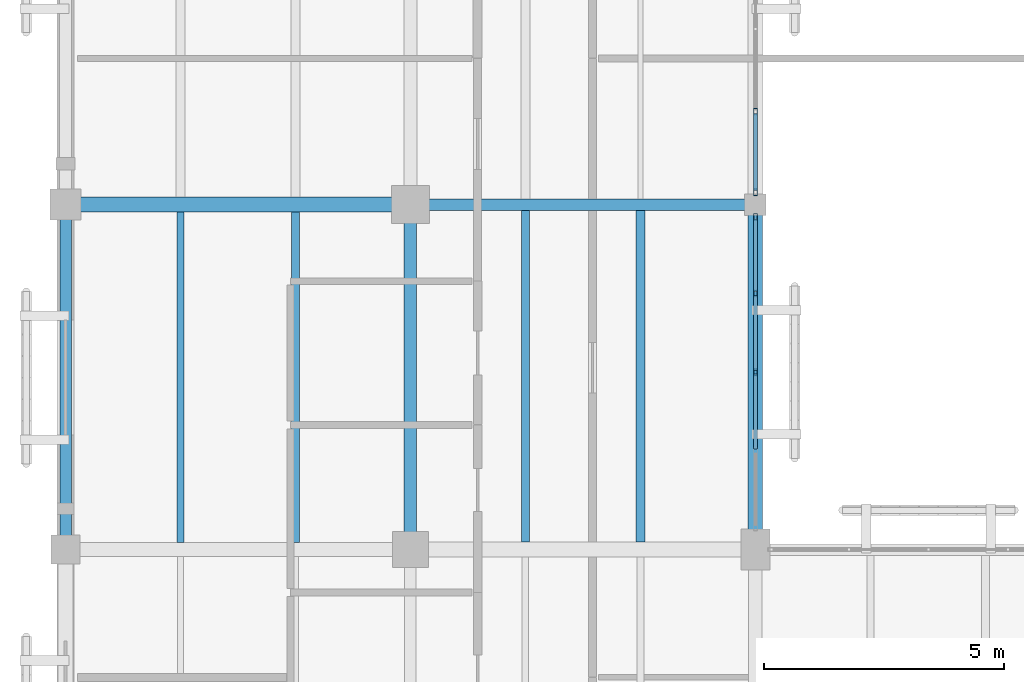
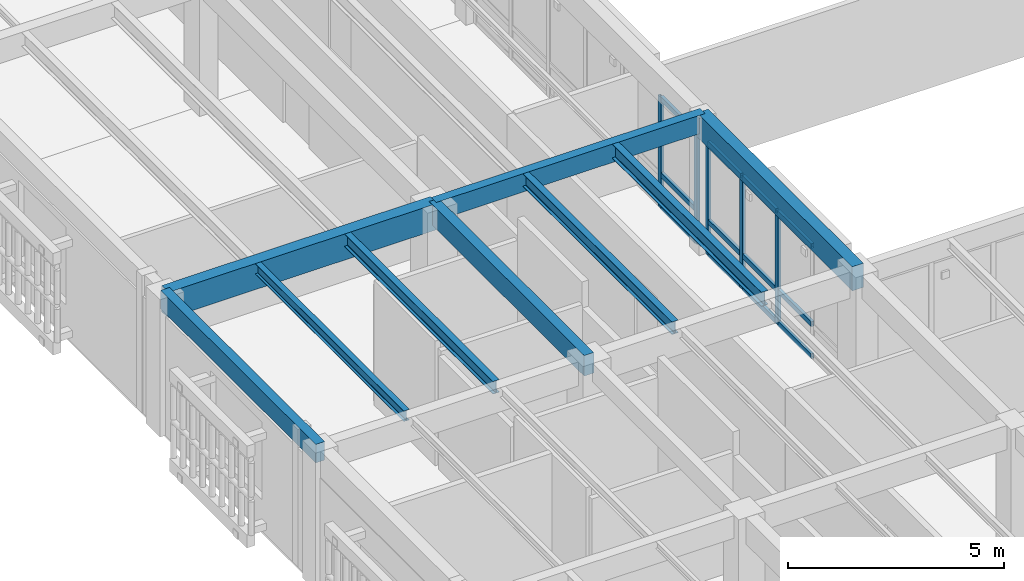
# One storey, part 29 of 170: 17 members, 9 beams, 2 elements without a shape of their own.
"""IFC4 building model written with IfcOpenShell, lengths in metres."""

from ifc_helpers import new_model, si_unit, direction, frame, origin, origin_2d, place, context, subcontext, project, spatial, rectangle, hollow_rectangle, i_section, extrude, material, layer, layer_set, material_profile, profile_set, type_object, element, aggregate, save


model = new_model("IFC4")

# Units and contexts
model_context = context("Model", 3, precision=1e-05, world=origin(), true_north=direction((0.0, 1.0)))
body_context = subcontext(model_context, "Body", "Model", "MODEL_VIEW")
ifc_project = project(units=[si_unit("LENGTHUNIT", "METRE"), si_unit("AREAUNIT", "SQUARE_METRE"), si_unit("VOLUMEUNIT", "CUBIC_METRE"), si_unit("PLANEANGLEUNIT", "RADIAN"), si_unit("MASSUNIT", "GRAM", prefix="KILO")], contexts=[model_context])

# Site, building, storey
site_placement = place(None, origin())
site = spatial("IfcSite", under=ifc_project, at=site_placement, CompositionType="ELEMENT")
building_placement = place(site_placement, origin())
building = spatial("IfcBuilding", under=site, at=building_placement, Name="Mazaris Harbour Polytechnic", CompositionType="ELEMENT")
storey_placement = place(building_placement, frame((0.0, 0.0, 5.39990234375)))
storey = spatial("IfcBuildingStorey", under=building, at=storey_placement, Name="L01", CompositionType="ELEMENT", Elevation=5.39990234375)

# Curtain wall, members
ifc_material_1 = material(Name="Anodised Bronze Aluminium and Low-E Glass", Category="aluminium")
ifc_layer = layer(ifc_material_1, 0.159912109375, Name="Anodised Bronze Aluminium and Low-E Glass")
ifc_layer_set = layer_set([ifc_layer], Name="Anodised Bronze Aluminium and Low-E Glass")
curtain_wall_type = type_object("IfcCurtainWallType", Name="Cloister Court Curtain Wall", PredefinedType="NOTDEFINED", material=ifc_layer_set)
curtain_wall_1_placement = place(storey_placement, origin())
curtain_wall_1 = element("IfcCurtainWall", 1, at=curtain_wall_1_placement, inside=storey, type_object=curtain_wall_type, Name="V4 L01 Curtain Wall 120", PredefinedType="NOTDEFINED")
ifc_material_2 = material(Name="Anodised Bronze Steel S355", Category="steel")
ifc_material_profile_1 = material_profile(ifc_material_2, hollow_rectangle(XDim=0.080078125, YDim=0.139892578125, WallThickness=0.00634765625, at=origin_2d()), Name="RHS 80x140x6.3")
ifc_profile_set_1 = profile_set([ifc_material_profile_1], Name="Anodised Bronze Steel S355")
member_type_1 = type_object("IfcMemberType", Name="Curtain Mullion RHS80x140", PredefinedType="MULLION", material=ifc_profile_set_1)
member_1_placement = place(storey_placement, frame((14.39990234375, 39.699951171875, 0.0), z_axis=(0.0, 0.0, 1.0), x_axis=(-1.0, 0.0, 0.0)))
member_1 = element("IfcMember", 2, at=member_1_placement, type_object=member_type_1, Name="CW-02 mullion 3", PredefinedType="MULLION", context=body_context, shape_type="SweptSolid", body=[
    extrude(hollow_rectangle(XDim=0.080078125, YDim=0.139892578125, WallThickness=0.00634765625, at=origin_2d()), origin(), (0.0, 0.0, 1.0), 3.2001953125),
])
member_2_placement = place(storey_placement, frame((14.39990234375, 41.341552734375, 0.0), z_axis=(0.0, 0.0, 1.0), x_axis=(-1.0, 0.0, 0.0)))
member_2 = element("IfcMember", 3, at=member_2_placement, type_object=member_type_1, Name="CW-02 mullion 4", PredefinedType="MULLION", context=body_context, shape_type="SweptSolid", body=[
    extrude(hollow_rectangle(XDim=0.080078125, YDim=0.139892578125, WallThickness=0.00634765625, at=origin_2d()), origin(), (0.0, 0.0, 1.0), 3.2001953125),
])
member_3_placement = place(storey_placement, frame((14.39990234375, 42.943115234375, 0.0), z_axis=(0.0, 0.0, 1.0), x_axis=(-1.0, 0.0, 0.0)))
member_3 = element("IfcMember", 4, at=member_3_placement, type_object=member_type_1, Name="CW-02 mullion 5", PredefinedType="MULLION", context=body_context, shape_type="SweptSolid", body=[
    extrude(hollow_rectangle(XDim=0.080078125, YDim=0.139892578125, WallThickness=0.00634765625, at=origin_2d()), origin(), (0.0, 0.0, 1.0), 3.2001953125),
])

curtain_wall_2_placement = place(storey_placement, origin())
curtain_wall_2 = element("IfcCurtainWall", 5, at=curtain_wall_2_placement, inside=storey, type_object=curtain_wall_type, Name="V4 L01 Curtain Wall 121", PredefinedType="NOTDEFINED")
member_4_placement = place(storey_placement, frame((14.39990234375, 43.45703125, 0.0), z_axis=(0.0, 0.0, 1.0), x_axis=(-1.0, 0.0, 0.0)))
member_4 = element("IfcMember", 6, at=member_4_placement, type_object=member_type_1, Name="CW-02 mullion 1", PredefinedType="MULLION", context=body_context, shape_type="SweptSolid", body=[
    extrude(hollow_rectangle(XDim=0.080078125, YDim=0.139892578125, WallThickness=0.00634765625, at=origin_2d()), origin(), (0.0, 0.0, 1.0), 3.14013671875),
])
member_5_placement = place(storey_placement, frame((14.39990234375, 45.140380859375, 0.0), z_axis=(0.0, 0.0, 1.0), x_axis=(-1.0, 0.0, 0.0)))
member_5 = element("IfcMember", 7, at=member_5_placement, type_object=member_type_1, Name="CW-02 mullion 2", PredefinedType="MULLION", context=body_context, shape_type="SweptSolid", body=[
    extrude(hollow_rectangle(XDim=0.080078125, YDim=0.139892578125, WallThickness=0.00634765625, at=origin_2d()), origin(), (0.0, 0.0, 1.0), 3.14013671875),
])

# Member
ifc_material_3 = material(Name="Anodised Bronze Steel S355", Category="steel")
ifc_material_profile_2 = material_profile(ifc_material_3, hollow_rectangle(XDim=0.080078125, YDim=0.139892578125, WallThickness=0.00634765625, at=origin_2d()), Name="RHS 80x140x6.3")
ifc_profile_set_2 = profile_set([ifc_material_profile_2], Name="Anodised Bronze Steel S355")
member_type_2 = type_object("IfcMemberType", Name="Curtain Transom RHS80x140", PredefinedType="USERDEFINED", material=ifc_profile_set_2)
member_6_placement = place(storey_placement, frame((14.39990234375, 38.098388671875, 0.0400390625), z_axis=(0.0, 1.0, 0.0), x_axis=(-1.0, 0.0, 0.0)))
member_6 = element("IfcMember", 8, at=member_6_placement, type_object=member_type_2, Name="CW-02 transom 2.1", ObjectType="TRANSOM", PredefinedType="USERDEFINED", context=body_context, shape_type="SweptSolid", body=[
    extrude(hollow_rectangle(XDim=0.080078125, YDim=0.139892578125, WallThickness=0.00634765625, at=origin_2d()), origin(), (0.0, 0.0, 1.0), 1.5615234375),
])

member_7_placement = place(storey_placement, frame((14.39990234375, 38.098388671875, 0.9501953125), z_axis=(0.0, 1.0, 0.0), x_axis=(-1.0, 0.0, 0.0)))
member_7 = element("IfcMember", 9, at=member_7_placement, type_object=member_type_2, Name="CW-02 transom 2.2", ObjectType="TRANSOM", PredefinedType="USERDEFINED", context=body_context, shape_type="SweptSolid", body=[
    extrude(hollow_rectangle(XDim=0.080078125, YDim=0.139892578125, WallThickness=0.00634765625, at=origin_2d()), origin(), (0.0, 0.0, 1.0), 1.5615234375),
])

member_8_placement = place(storey_placement, frame((14.39990234375, 38.098388671875, 3.16015625), z_axis=(0.0, 1.0, 0.0), x_axis=(-1.0, 0.0, 0.0)))
member_8 = element("IfcMember", 10, at=member_8_placement, type_object=member_type_2, Name="CW-02 transom 2.3", ObjectType="TRANSOM", PredefinedType="USERDEFINED", context=body_context, shape_type="SweptSolid", body=[
    extrude(hollow_rectangle(XDim=0.080078125, YDim=0.139892578125, WallThickness=0.00634765625, at=origin_2d()), origin(), (0.0, 0.0, 1.0), 1.5615234375),
])

member_9_placement = place(storey_placement, frame((14.39990234375, 39.739990234375, 0.0400390625), z_axis=(0.0, 1.0, 0.0), x_axis=(-1.0, 0.0, 0.0)))
member_9 = element("IfcMember", 11, at=member_9_placement, type_object=member_type_2, Name="CW-02 transom 3.1", ObjectType="TRANSOM", PredefinedType="USERDEFINED", context=body_context, shape_type="SweptSolid", body=[
    extrude(hollow_rectangle(XDim=0.080078125, YDim=0.139892578125, WallThickness=0.00634765625, at=origin_2d()), origin(), (0.0, 0.0, 1.0), 1.5615234375),
])

member_10_placement = place(storey_placement, frame((14.39990234375, 39.739990234375, 0.9501953125), z_axis=(0.0, 1.0, 0.0), x_axis=(-1.0, 0.0, 0.0)))
member_10 = element("IfcMember", 12, at=member_10_placement, type_object=member_type_2, Name="CW-02 transom 3.2", ObjectType="TRANSOM", PredefinedType="USERDEFINED", context=body_context, shape_type="SweptSolid", body=[
    extrude(hollow_rectangle(XDim=0.080078125, YDim=0.139892578125, WallThickness=0.00634765625, at=origin_2d()), origin(), (0.0, 0.0, 1.0), 1.5615234375),
])

member_11_placement = place(storey_placement, frame((14.39990234375, 39.739990234375, 3.16015625), z_axis=(0.0, 1.0, 0.0), x_axis=(-1.0, 0.0, 0.0)))
member_11 = element("IfcMember", 13, at=member_11_placement, type_object=member_type_2, Name="CW-02 transom 3.3", ObjectType="TRANSOM", PredefinedType="USERDEFINED", context=body_context, shape_type="SweptSolid", body=[
    extrude(hollow_rectangle(XDim=0.080078125, YDim=0.139892578125, WallThickness=0.00634765625, at=origin_2d()), origin(), (0.0, 0.0, 1.0), 1.5615234375),
])

member_12_placement = place(storey_placement, frame((14.39990234375, 41.381591796875, 0.0400390625), z_axis=(0.0, 1.0, 0.0), x_axis=(-1.0, 0.0, 0.0)))
member_12 = element("IfcMember", 14, at=member_12_placement, type_object=member_type_2, Name="CW-02 transom 4.1", ObjectType="TRANSOM", PredefinedType="USERDEFINED", context=body_context, shape_type="SweptSolid", body=[
    extrude(hollow_rectangle(XDim=0.080078125, YDim=0.139892578125, WallThickness=0.00634765625, at=origin_2d()), origin(), (0.0, 0.0, 1.0), 1.521484375),
])

member_13_placement = place(storey_placement, frame((14.39990234375, 41.381591796875, 0.9501953125), z_axis=(0.0, 1.0, 0.0), x_axis=(-1.0, 0.0, 0.0)))
member_13 = element("IfcMember", 15, at=member_13_placement, type_object=member_type_2, Name="CW-02 transom 4.2", ObjectType="TRANSOM", PredefinedType="USERDEFINED", context=body_context, shape_type="SweptSolid", body=[
    extrude(hollow_rectangle(XDim=0.080078125, YDim=0.139892578125, WallThickness=0.00634765625, at=origin_2d()), origin(), (0.0, 0.0, 1.0), 1.521484375),
])

member_14_placement = place(storey_placement, frame((14.39990234375, 41.381591796875, 3.16015625), z_axis=(0.0, 1.0, 0.0), x_axis=(-1.0, 0.0, 0.0)))
member_14 = element("IfcMember", 16, at=member_14_placement, type_object=member_type_2, Name="CW-02 transom 4.3", ObjectType="TRANSOM", PredefinedType="USERDEFINED", context=body_context, shape_type="SweptSolid", body=[
    extrude(hollow_rectangle(XDim=0.080078125, YDim=0.139892578125, WallThickness=0.00634765625, at=origin_2d()), origin(), (0.0, 0.0, 1.0), 1.521484375),
])

aggregate(curtain_wall_1, [member_1, member_2, member_3, member_6, member_7, member_8, member_9, member_10, member_11, member_12, member_13, member_14])

member_15_placement = place(storey_placement, frame((14.39990234375, 43.4970703125, 0.0400390625), z_axis=(0.0, 1.0, 0.0), x_axis=(-1.0, 0.0, 0.0)))
member_15 = element("IfcMember", 17, at=member_15_placement, type_object=member_type_2, Name="CW-02 transom 1.1", ObjectType="TRANSOM", PredefinedType="USERDEFINED", context=body_context, shape_type="SweptSolid", body=[
    extrude(hollow_rectangle(XDim=0.080078125, YDim=0.139892578125, WallThickness=0.00634765625, at=origin_2d()), origin(), (0.0, 0.0, 1.0), 1.603515625),
])

member_16_placement = place(storey_placement, frame((14.39990234375, 43.4970703125, 0.9501953125), z_axis=(0.0, 1.0, 0.0), x_axis=(-1.0, 0.0, 0.0)))
member_16 = element("IfcMember", 18, at=member_16_placement, type_object=member_type_2, Name="CW-02 transom 1.2", ObjectType="TRANSOM", PredefinedType="USERDEFINED", context=body_context, shape_type="SweptSolid", body=[
    extrude(hollow_rectangle(XDim=0.080078125, YDim=0.139892578125, WallThickness=0.00634765625, at=origin_2d()), origin(), (0.0, 0.0, 1.0), 1.603515625),
])

member_17_placement = place(storey_placement, frame((14.39990234375, 43.4970703125, 3.10009765625), z_axis=(0.0, 1.0, 0.0), x_axis=(-1.0, 0.0, 0.0)))
member_17 = element("IfcMember", 19, at=member_17_placement, type_object=member_type_2, Name="CW-02 transom 1.3", ObjectType="TRANSOM", PredefinedType="USERDEFINED", context=body_context, shape_type="SweptSolid", body=[
    extrude(hollow_rectangle(XDim=0.080078125, YDim=0.139892578125, WallThickness=0.00634765625, at=origin_2d()), origin(), (0.0, 0.0, 1.0), 1.603515625),
])

aggregate(curtain_wall_2, [member_4, member_5, member_15, member_16, member_17])

# Beams
ifc_material_4 = material(Name="Glulam GL32h", Category="wood")
ifc_material_profile_3 = material_profile(ifc_material_4, rectangle(XDim=0.239990234375, YDim=0.52001953125, at=origin_2d()), Name="RECT240x520")
ifc_profile_set_3 = profile_set([ifc_material_profile_3], Name="Glulam GL32h")
beam_type_1 = type_object("IfcBeamType", Name="Glulam Girder 240x520", PredefinedType="BEAM", material=ifc_profile_set_3)
beam_1_placement = place(storey_placement, frame((7.199951171875, 43.199951171875, 3.630126953125), z_axis=(1.0, 0.0, 0.0), x_axis=(0.0, 1.0, 0.0)))
element("IfcBeam", 20, at=beam_1_placement, inside=storey, type_object=beam_type_1, Name="V4 L01 Girder 1655", PredefinedType="BEAM", context=body_context, shape_type="SweptSolid", body=[
    extrude(rectangle(XDim=0.239990234375, YDim=0.52001953125, at=origin_2d()), origin(), (0.0, 0.0, 1.0), 7.199951171875),
])
ifc_material_5 = material(Name="Glulam GL32h", Category="wood")
ifc_material_profile_4 = material_profile(ifc_material_5, rectangle(XDim=0.239990234375, YDim=0.52001953125, at=origin_2d()), Name="RECT240x520")
ifc_profile_set_4 = profile_set([ifc_material_profile_4], Name="Glulam GL32h")
beam_type_2 = type_object("IfcBeamType", Name="Glulam Girder 240x520 Exterior", PredefinedType="BEAM", material=ifc_profile_set_4)
beam_2_placement = place(storey_placement, frame((0.0, 36.0, 3.630126953125), z_axis=(0.0, 1.0, 0.0), x_axis=(-1.0, 0.0, 0.0)))
element("IfcBeam", 21, at=beam_2_placement, inside=storey, type_object=beam_type_2, Name="V4 L01 Tie Girder 1700", PredefinedType="BEAM", context=body_context, shape_type="SweptSolid", body=[
    extrude(rectangle(XDim=0.239990234375, YDim=0.52001953125, at=origin_2d()), origin(), (0.0, 0.0, 1.0), 7.199951171875),
])
ifc_material_6 = material(Name="Glulam GL32h", Category="wood")
ifc_material_profile_5 = material_profile(ifc_material_6, rectangle(XDim=0.260009765625, YDim=0.580078125, at=origin_2d()), Name="RECT260x580")
ifc_profile_set_5 = profile_set([ifc_material_profile_5], Name="Glulam GL32h")
beam_type_3 = type_object("IfcBeamType", Name="Glulam Girder 260x580", PredefinedType="BEAM", material=ifc_profile_set_5)
beam_3_placement = place(storey_placement, frame((7.199951171875, 36.0, 3.60009765625), z_axis=(0.0, 1.0, 0.0), x_axis=(-1.0, 0.0, 0.0)))
element("IfcBeam", 22, at=beam_3_placement, inside=storey, type_object=beam_type_3, Name="V4 L01 Tie Girder 1711", PredefinedType="BEAM", context=body_context, shape_type="SweptSolid", body=[
    extrude(rectangle(XDim=0.260009765625, YDim=0.580078125, at=origin_2d()), origin(), (0.0, 0.0, 1.0), 7.199951171875),
])
ifc_material_7 = material(Name="Glulam GL32h", Category="wood")
ifc_material_profile_6 = material_profile(ifc_material_7, rectangle(XDim=0.300048828125, YDim=0.679931640625, at=origin_2d()), Name="RECT300x680")
ifc_profile_set_6 = profile_set([ifc_material_profile_6], Name="Glulam GL32h")
beam_type_4 = type_object("IfcBeamType", Name="Glulam Girder 300x680", PredefinedType="BEAM", material=ifc_profile_set_6)
beam_4_placement = place(storey_placement, frame((14.39990234375, 36.0, 3.550048828125), z_axis=(0.0, 1.0, 0.0), x_axis=(-1.0, 0.0, 0.0)))
element("IfcBeam", 23, at=beam_4_placement, inside=storey, type_object=beam_type_4, Name="V4 L01 Tie Girder 1723", PredefinedType="BEAM", context=body_context, shape_type="SweptSolid", body=[
    extrude(rectangle(XDim=0.300048828125, YDim=0.679931640625, at=origin_2d()), origin(), (0.0, 0.0, 1.0), 7.199951171875),
])
ifc_material_8 = material(Name="Glulam GL32h", Category="wood")
ifc_material_profile_7 = material_profile(ifc_material_8, rectangle(XDim=0.320068359375, YDim=0.739990234375, at=origin_2d()), Name="RECT320x740")
ifc_profile_set_7 = profile_set([ifc_material_profile_7], Name="Glulam GL32h")
beam_type_5 = type_object("IfcBeamType", Name="Glulam Girder 320x740", PredefinedType="BEAM", material=ifc_profile_set_7)
beam_5_placement = place(storey_placement, frame((0.0, 43.199951171875, 3.52001953125), z_axis=(1.0, 0.0, 0.0), x_axis=(0.0, 1.0, 0.0)))
element("IfcBeam", 24, at=beam_5_placement, inside=storey, type_object=beam_type_5, Name="V4 L01 Girder 1654", PredefinedType="BEAM", context=body_context, shape_type="SweptSolid", body=[
    extrude(rectangle(XDim=0.320068359375, YDim=0.739990234375, at=origin_2d()), origin(), (0.0, 0.0, 1.0), 7.199951171875),
])
ifc_material_9 = material(Name="Steel S355", Category="steel")
ifc_material_profile_8 = material_profile(ifc_material_9, i_section(OverallWidth=0.14990234375, OverallDepth=0.300048828125, WebThickness=0.007080078125, FlangeThickness=0.0107421875, FilletRadius=0.014892578125, at=origin_2d()), Name="IPE 300")
ifc_profile_set_8 = profile_set([ifc_material_profile_8], Name="Steel S355")
beam_type_6 = type_object("IfcBeamType", Name="Steel Joist IPE300", PredefinedType="JOIST", material=ifc_profile_set_8)
beam_6_placement = place(storey_placement, frame((2.39990234375, 36.14990234375, 3.739990234375), z_axis=(0.0, 1.0, 0.0), x_axis=(-1.0, 0.0, 0.0)))
element("IfcBeam", 25, at=beam_6_placement, inside=storey, type_object=beam_type_6, Name="V4 L01 Floor Joist 1781", PredefinedType="JOIST", context=body_context, shape_type="SweptSolid", body=[
    extrude(i_section(OverallWidth=0.14990234375, OverallDepth=0.300048828125, WebThickness=0.007080078125, FlangeThickness=0.0107421875, FilletRadius=0.014892578125, at=origin_2d()), origin(), (0.0, 0.0, 1.0), 6.89013671875),
])
ifc_material_10 = material(Name="Steel S355", Category="steel")
ifc_material_profile_9 = material_profile(ifc_material_10, i_section(OverallWidth=0.169921875, OverallDepth=0.360107421875, WebThickness=0.008056640625, FlangeThickness=0.0126953125, FilletRadius=0.01806640625, at=origin_2d()), Name="IPE 360")
ifc_profile_set_9 = profile_set([ifc_material_profile_9], Name="Steel S355")
beam_type_7 = type_object("IfcBeamType", Name="Steel Joist IPE360", PredefinedType="JOIST", material=ifc_profile_set_9)
beam_7_placement = place(storey_placement, frame((4.800048828125, 36.14990234375, 3.710205078125), z_axis=(0.0, 1.0, 0.0), x_axis=(-1.0, 0.0, 0.0)))
element("IfcBeam", 26, at=beam_7_placement, inside=storey, type_object=beam_type_7, Name="V4 L01 Floor Joist 1782", PredefinedType="JOIST", context=body_context, shape_type="SweptSolid", body=[
    extrude(i_section(OverallWidth=0.169921875, OverallDepth=0.360107421875, WebThickness=0.008056640625, FlangeThickness=0.0126953125, FilletRadius=0.01806640625, at=origin_2d()), origin(), (0.0, 0.0, 1.0), 6.89013671875),
])
beam_8_placement = place(storey_placement, frame((9.60009765625, 36.159912109375, 3.710205078125), z_axis=(0.0, 1.0, 0.0), x_axis=(-1.0, 0.0, 0.0)))
element("IfcBeam", 27, at=beam_8_placement, inside=storey, type_object=beam_type_7, Name="V4 L01 Floor Joist 1803", PredefinedType="JOIST", context=body_context, shape_type="SweptSolid", body=[
    extrude(i_section(OverallWidth=0.169921875, OverallDepth=0.360107421875, WebThickness=0.008056640625, FlangeThickness=0.0126953125, FilletRadius=0.01806640625, at=origin_2d()), origin(), (0.0, 0.0, 1.0), 6.920166015625),
])
ifc_material_11 = material(Name="Steel S355", Category="steel")
ifc_material_profile_10 = material_profile(ifc_material_11, i_section(OverallWidth=0.179931640625, OverallDepth=0.39990234375, WebThickness=0.008544921875, FlangeThickness=0.013427734375, FilletRadius=0.02099609375, at=origin_2d()), Name="IPE 400")
ifc_profile_set_10 = profile_set([ifc_material_profile_10], Name="Steel S355")
beam_type_8 = type_object("IfcBeamType", Name="Steel Joist IPE400", PredefinedType="JOIST", material=ifc_profile_set_10)
beam_9_placement = place(storey_placement, frame((12.0, 36.159912109375, 3.690185546875), z_axis=(0.0, 1.0, 0.0), x_axis=(-1.0, 0.0, 0.0)))
element("IfcBeam", 28, at=beam_9_placement, inside=storey, type_object=beam_type_8, Name="V4 L01 Floor Joist 1804", PredefinedType="JOIST", context=body_context, shape_type="SweptSolid", body=[
    extrude(i_section(OverallWidth=0.179931640625, OverallDepth=0.39990234375, WebThickness=0.008544921875, FlangeThickness=0.013427734375, FilletRadius=0.02099609375, at=origin_2d()), origin(), (0.0, 0.0, 1.0), 6.920166015625),
])

save(model, "model.ifc")
